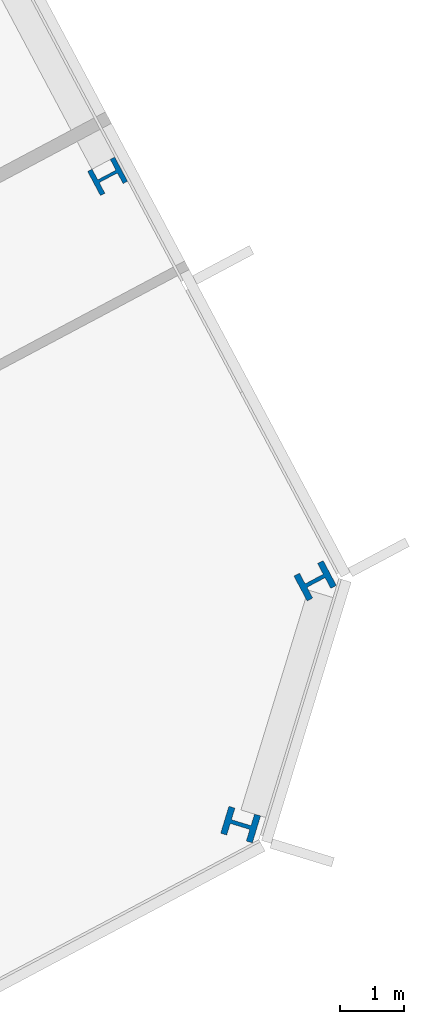
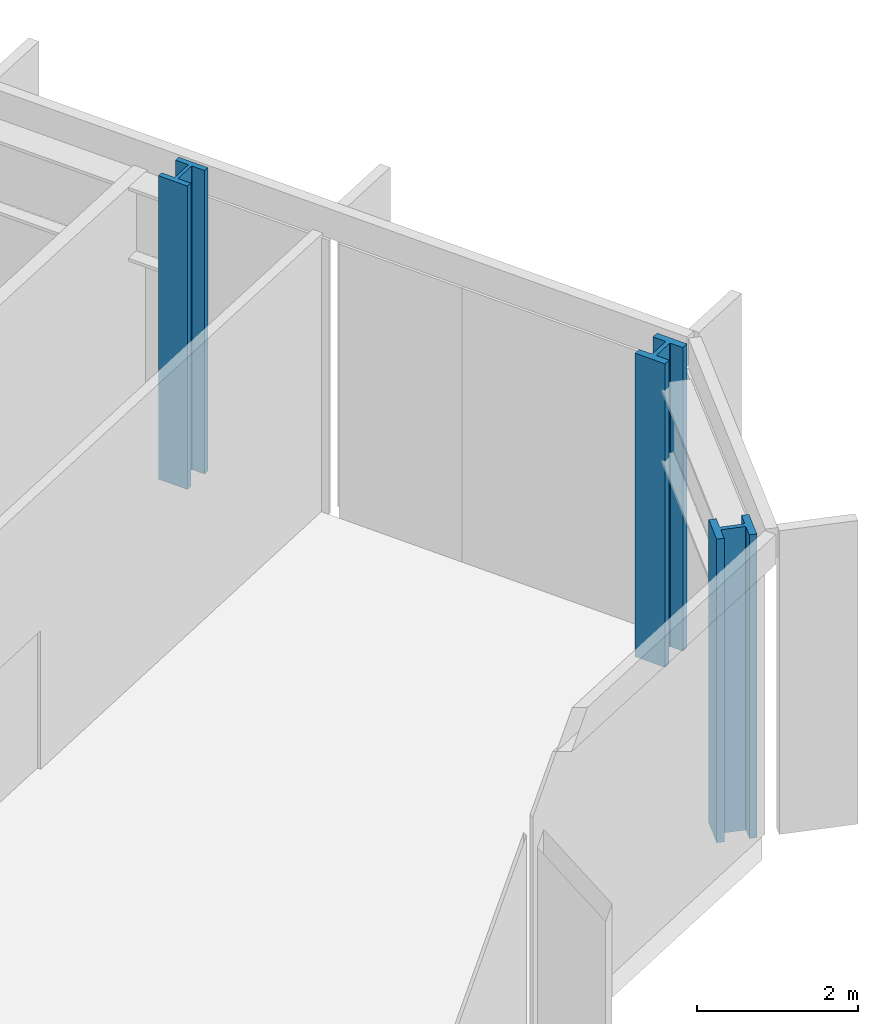
# One storey, part 6 of 31: 3 columns.
"""IFC4 building model written with IfcOpenShell, lengths in metres."""

from ifc_helpers import new_model, si_unit, direction, frame, origin, origin_2d, place, context, subcontext, project, spatial, i_section, extrude, material, material_profile, profile_set, type_object, element, save


model = new_model("IFC4")

# Units and contexts
model_context = context("Model", 3, precision=1e-05, world=origin(), true_north=direction((0.0, 1.0)))
body_context = subcontext(model_context, "Body", "Model", "MODEL_VIEW")
ifc_project = project(units=[si_unit("LENGTHUNIT", "METRE"), si_unit("AREAUNIT", "SQUARE_METRE"), si_unit("VOLUMEUNIT", "CUBIC_METRE"), si_unit("PLANEANGLEUNIT", "RADIAN"), si_unit("MASSUNIT", "GRAM", prefix="KILO")], contexts=[model_context])

# Site, building, storey
site_placement = place(None, origin())
site = spatial("IfcSite", under=ifc_project, at=site_placement, CompositionType="ELEMENT")
building_placement = place(site_placement, origin())
building = spatial("IfcBuilding", under=site, at=building_placement, Name="Cormorant Relay Tower", CompositionType="ELEMENT")
storey_placement = place(building_placement, frame((0.0, 0.0, 98.39990234375)))
storey = spatial("IfcBuildingStorey", under=building, at=storey_placement, Name="L19", CompositionType="ELEMENT", Elevation=98.39990234375)

# Columns
ifc_material_1 = material(Name="Steel ASTM A992 (Fy 345 MPa)", Category="steel")
ifc_material_profile_1 = material_profile(ifc_material_1, i_section(OverallWidth=0.42431640625, OverallDepth=0.47509765625, WebThickness=0.0478515625, FlangeThickness=0.0771484375, FilletRadius=0.014892578125, at=origin_2d()), Name="W360x634")
ifc_profile_set_1 = profile_set([ifc_material_profile_1], Name="Steel ASTM A992 (Fy 345 MPa)")
column_type_1 = type_object("IfcColumnType", Name="Column W360x634", PredefinedType="COLUMN", material=ifc_profile_set_1)
column_placement = place(storey_placement, frame((68.430908203125, 24.153076171875, 0.0), z_axis=(0.0, 0.0, 1.0), x_axis=(-0.469471562786, 0.882947592859, 0.0)))
element("IfcColumn", 1, at=column_placement, inside=storey, type_object=column_type_1, Name="Column L19-033", PredefinedType="COLUMN", context=body_context, shape_type="SweptSolid", body=[
    extrude(i_section(OverallWidth=0.42431640625, OverallDepth=0.47509765625, WebThickness=0.0478515625, FlangeThickness=0.0771484375, FilletRadius=0.014892578125, at=origin_2d()), origin(), (0.0, 0.0, 1.0), 4.60009765625),
])
ifc_material_2 = material(Name="Steel ASTM A992 (Fy 345 MPa)", Category="steel")
ifc_material_profile_2 = material_profile(ifc_material_2, i_section(OverallWidth=0.43701171875, OverallDepth=0.51318359375, WebThickness=0.060546875, FlangeThickness=0.096923828125, FilletRadius=0.015380859375, at=origin_2d()), Name="W360x818")
ifc_profile_set_2 = profile_set([ifc_material_profile_2], Name="Steel ASTM A992 (Fy 345 MPa)")
column_type_2 = type_object("IfcColumnType", Name="Column W360x818", PredefinedType="COLUMN", material=ifc_profile_set_2)
for number, where, z_axis, x_axis, name in (
    (2, (70.4970703125, 14.0869140625, 0.0), (0.0, 0.0, 1.0), (0.292371704723, 0.956304755963, 0.0), "Column L19-026"),
    (3, (71.654052734375, 17.873046875, 0.0), (0.0, 0.0, 1.0), (-0.469471562786, 0.882947592859, 0.0), "Column L19-028"),
):
    element("IfcColumn", number, at=place(storey_placement, frame(where, z_axis=z_axis, x_axis=x_axis)), inside=storey, type_object=column_type_2, Name=name, PredefinedType="COLUMN", context=body_context, shape_type="SweptSolid", body=[
        extrude(i_section(OverallWidth=0.43701171875, OverallDepth=0.51318359375, WebThickness=0.060546875, FlangeThickness=0.096923828125, FilletRadius=0.015380859375, at=origin_2d()), origin(), (0.0, 0.0, 1.0), 4.60009765625),
    ])

save(model, "model.ifc")
